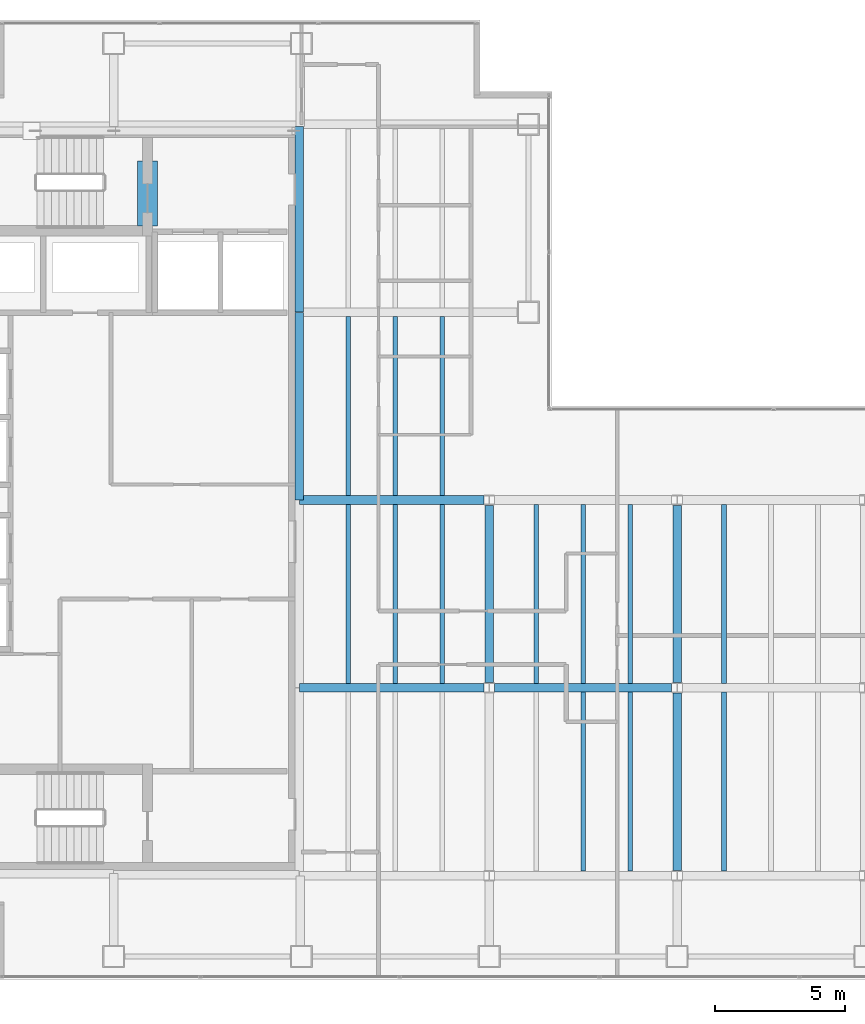
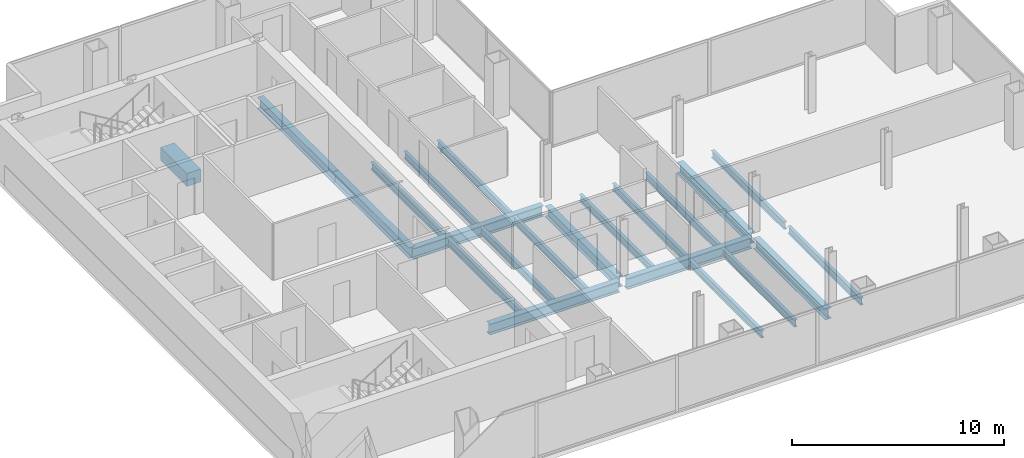
# One storey, part 7 of 23: 22 beams.
"""IFC4 building model written with IfcOpenShell, lengths in metres."""

import ifcopenshell
import ifcopenshell.guid

model = None  # the IFC model being written
_history = None  # IfcOwnerHistory: only IFC2X3 demands one
_inside = {}  # id of a spatial element -> (the spatial element, [elements in it])
_under = {}  # id of a project, library or spatial element -> (it, [spatial elements below it])
_declared = {}  # id of a project -> (the project, [libraries it declares])
_typed = {}  # id of a type object -> (the type object, [elements of that type])
_made_of = {}  # id of a material, layer set ... -> (it, [elements and type objects made of it])


def new_model(schema):
    """Start an empty IFC model of exactly this schema.

    Asked for "IFC4X3", IfcOpenShell would pick the latest addendum, in which some entities
    have other attributes; the version numbers below select the first issue.
    IFC2X3 requires an IfcOwnerHistory on every rooted entity: one is made here for all.
    """
    global model, _history
    if schema == "IFC4X3":
        model = ifcopenshell.file(schema_version=(4, 3, 0, 0))
    else:
        model = ifcopenshell.file(schema=schema)
    _inside.clear()
    _under.clear()
    _declared.clear()
    _typed.clear()
    _made_of.clear()
    _history = None
    if model.schema == "IFC2X3":
        org = make("IfcOrganization", Name="unknown")
        user = make(
            "IfcPersonAndOrganization",
            ThePerson=make("IfcPerson", FamilyName="unknown"),
            TheOrganization=org,
        )
        app = make(
            "IfcApplication",
            ApplicationDeveloper=org,
            Version="unknown",
            ApplicationFullName="unknown",
            ApplicationIdentifier="unknown",
        )
        _history = make(
            "IfcOwnerHistory",
            OwningUser=user,
            OwningApplication=app,
            ChangeAction="ADDED",
            CreationDate=0,
        )
    return model


def make(cls, **values):
    """One entity of the class cls with the attributes given. An attribute that is None is left unset."""
    return model.create_entity(
        cls, **{name: value for name, value in values.items() if value is not None}
    )


def rooted(cls, **values):
    """An entity with a GlobalId (a new one), such as an element, a storey or a relation."""
    return make(cls, GlobalId=ifcopenshell.guid.new(), OwnerHistory=_history, **values)


def si_unit(unit_type, name, prefix=None):
    """IfcSIUnit, for example si_unit("LENGTHUNIT", "METRE", prefix="MILLI")."""
    return make("IfcSIUnit", UnitType=unit_type, Prefix=prefix, Name=name)


def assignment(units):
    """IfcUnitAssignment: the units of a project."""
    return None if units is None else make("IfcUnitAssignment", Units=units)


def point(xyz):
    """IfcCartesianPoint."""
    return None if xyz is None else make("IfcCartesianPoint", Coordinates=xyz)


def direction(xyz):
    """IfcDirection."""
    return None if xyz is None else make("IfcDirection", DirectionRatios=xyz)


def frame(location, z_axis=None, x_axis=None):
    """IfcAxis2Placement3D, a coordinate frame: its origin and axes. An axis left out is left unset."""
    return make(
        "IfcAxis2Placement3D",
        Location=point(location),
        Axis=direction(z_axis),
        RefDirection=direction(x_axis),
    )


def frame_2d(location, x_axis=None):
    """IfcAxis2Placement2D, a coordinate frame in the plane: its origin and x axis."""
    return make(
        "IfcAxis2Placement2D", Location=point(location), RefDirection=direction(x_axis)
    )


def origin():
    """The frame at (0, 0, 0) with its axes left unset."""
    return frame((0.0, 0.0, 0.0))


def origin_2d():
    """The frame at (0, 0) in the plane with its x axis left unset."""
    return frame_2d((0.0, 0.0))


def place(relative_to, where):
    """IfcLocalPlacement: puts the frame where relative to a parent placement (None: the world)."""
    return make(
        "IfcLocalPlacement", PlacementRelTo=relative_to, RelativePlacement=where
    )


def context(
    kind, dimensions, precision=None, world=None, true_north=None, identifier=None
):
    """IfcGeometricRepresentationContext, for example the 3D "Model" context."""
    return make(
        "IfcGeometricRepresentationContext",
        ContextIdentifier=identifier,
        ContextType=kind,
        CoordinateSpaceDimension=dimensions,
        Precision=precision,
        WorldCoordinateSystem=world,
        TrueNorth=true_north,
    )


def subcontext(parent, identifier, kind, view, scale=None):
    """IfcGeometricRepresentationSubContext, for example "Body" below "Model"."""
    return make(
        "IfcGeometricRepresentationSubContext",
        ContextIdentifier=identifier,
        ContextType=kind,
        ParentContext=parent,
        TargetScale=scale,
        TargetView=view,
    )


def project(units=None, contexts=None):
    """IfcProject with its units and contexts."""
    return rooted(
        "IfcProject",
        Name="project",
        RepresentationContexts=contexts,
        UnitsInContext=assignment(units),
    )


def spatial(cls, under=None, at=None, **own):
    """A site, building, storey or space (cls), placed at a placement, below another one or the project."""
    s = rooted(cls, ObjectPlacement=at, **own)
    if under is not None:
        _under.setdefault(under.id(), (under, []))[1].append(s)
    return s


def profile(cls, at=None, kind="AREA", **sizes):
    """A parametric profile (cls). Its sizes go by their IFC names, for example OverallWidth=200.0."""
    return make(cls, ProfileType=kind, Position=at, **sizes)


def rectangle(**sizes):
    """IfcRectangleProfileDef."""
    return profile("IfcRectangleProfileDef", **sizes)


def i_section(**sizes):
    """IfcIShapeProfileDef."""
    return profile("IfcIShapeProfileDef", **sizes)


def extrude(swept, where, along, depth):
    """IfcExtrudedAreaSolid: the profile swept, set in the frame where, extruded along a direction by depth."""
    return make(
        "IfcExtrudedAreaSolid",
        SweptArea=swept,
        Position=where,
        ExtrudedDirection=direction(along),
        Depth=depth,
    )


def shape(context_of_items, identifier, shape_type, items):
    """IfcShapeRepresentation: the items that make up one representation, for example the "Body"."""
    return make(
        "IfcShapeRepresentation",
        ContextOfItems=context_of_items,
        RepresentationIdentifier=identifier,
        RepresentationType=shape_type,
        Items=items,
    )


def material(Name=None, Category=None):
    """IfcMaterial."""
    return make("IfcMaterial", Name=Name, Category=Category)


def material_profile(
    of_material, cross_section, Name=None, Category=None, Priority=None
):
    """IfcMaterialProfile: a cross section and its material."""
    return make(
        "IfcMaterialProfile",
        Name=Name,
        Material=of_material,
        Profile=cross_section,
        Priority=Priority,
        Category=Category,
    )


def profile_set(profiles, Name=None, composite=None):
    """IfcMaterialProfileSet."""
    return make(
        "IfcMaterialProfileSet",
        Name=Name,
        MaterialProfiles=profiles,
        CompositeProfile=composite,
    )


def made_of(thing, what):
    """Note that an element or type object is made of a material, layer set ...; save() writes the relation."""
    if what is not None:
        _made_of.setdefault(what.id(), (what, []))[1].append(thing)
    return thing


def type_object(cls, material=None, **own):
    """A type object (cls), such as IfcWallType, which elements share."""
    return made_of(rooted(cls, **own), material)


def element(
    cls,
    number,
    at=None,
    inside=None,
    cuts=None,
    type_object=None,
    material=None,
    context=None,
    identifier="Body",
    shape_type=None,
    held_by="IfcProductDefinitionShape",
    body=None,
    shapes=None,
    **own,
):
    """One element of the class cls, such as IfcWall. Its Tag is "e" and its number.

    at: its placement. inside: the storey or other place that contains it. cuts: it is an
    opening in that element (IfcRelVoidsElement). A single representation is given by context,
    identifier, shape_type and body (its items); several are given by shapes. held_by: the class
    of the entity that holds the representations. save() writes the other relations.
    """
    e = rooted(cls, Tag="e%d" % number, ObjectPlacement=at, **own)
    if body is not None:
        shapes = [shape(context, identifier, shape_type, body)]
    if shapes is not None:
        e.Representation = make(held_by, Representations=shapes)
    if inside is not None:
        _inside.setdefault(inside.id(), (inside, []))[1].append(e)
    if cuts is not None:
        rooted(
            "IfcRelVoidsElement", RelatingBuildingElement=cuts, RelatedOpeningElement=e
        )
    if type_object is not None:
        _typed.setdefault(type_object.id(), (type_object, []))[1].append(e)
    return made_of(e, material)


def aggregate(whole, parts):
    """IfcRelAggregates: a whole, such as a stair, and the parts it consists of."""
    return rooted("IfcRelAggregates", RelatingObject=whole, RelatedObjects=parts)


def save(model, path):
    """Write the relations noted so far, then the file.

    IfcRelAggregates (storeys below a building ...), IfcRelContainedInSpatialStructure (elements
    in a storey), IfcRelDefinesByType, IfcRelAssociatesMaterial and IfcRelDeclares: one each for
    every whole, place, type object, material and project.
    """
    for whole, parts in _under.values():
        aggregate(whole, parts)
    for where, things in _inside.values():
        rooted(
            "IfcRelContainedInSpatialStructure",
            RelatedElements=things,
            RelatingStructure=where,
        )
    for kind, things in _typed.values():
        rooted("IfcRelDefinesByType", RelatedObjects=things, RelatingType=kind)
    for what, things in _made_of.values():
        rooted("IfcRelAssociatesMaterial", RelatedObjects=things, RelatingMaterial=what)
    for by, libraries in _declared.values():
        rooted("IfcRelDeclares", RelatingContext=by, RelatedDefinitions=libraries)
    model.write(path)


model = new_model("IFC4")

# Units and contexts
model_context = context("Model", 3, precision=1e-05, world=origin(), true_north=direction((0.0, 1.0)))
body_context = subcontext(model_context, "Body", "Model", "MODEL_VIEW")
ifc_project = project(units=[si_unit("LENGTHUNIT", "METRE"), si_unit("AREAUNIT", "SQUARE_METRE"), si_unit("VOLUMEUNIT", "CUBIC_METRE"), si_unit("PLANEANGLEUNIT", "RADIAN"), si_unit("MASSUNIT", "GRAM", prefix="KILO")], contexts=[model_context])

# Site, building, storey
site_placement = place(None, origin())
site = spatial("IfcSite", under=ifc_project, at=site_placement, CompositionType="ELEMENT")
building_placement = place(site_placement, origin())
building = spatial("IfcBuilding", under=site, at=building_placement, Name="Cobrela Telecom Tower", CompositionType="ELEMENT")
storey_placement = place(building_placement, frame((0.0, 0.0, 180.25)))
storey = spatial("IfcBuildingStorey", under=building, at=storey_placement, Name="L45", CompositionType="ELEMENT", Elevation=180.25)

# Beams
ifc_material_1 = material(Name="Concrete C40/50", Category="concrete")
ifc_material_profile_1 = material_profile(ifc_material_1, rectangle(XDim=0.75, YDim=0.75, at=origin_2d()), Name="RC 750x750")
ifc_profile_set_1 = profile_set([ifc_material_profile_1], Name="Concrete C40/50")
beam_type_1 = type_object("IfcBeamType", Name="BM-COUP-RC", PredefinedType="LINTEL", material=ifc_profile_set_1)
beam_1_placement = place(storey_placement, frame((8.5, 32.10009765625, -0.610107421875), z_axis=(0.0, 1.0, 0.0), x_axis=(-1.0, 0.0, 0.0)))
element("IfcBeam", 1, at=beam_1_placement, inside=storey, type_object=beam_type_1, Name="L45 Core Coupling Lintel Beam", PredefinedType="LINTEL", context=body_context, shape_type="SweptSolid", body=[
    extrude(rectangle(XDim=0.75, YDim=0.75, at=origin_2d()), origin(), (0.0, 0.0, 1.0), 2.5),
])
ifc_material_2 = material(Name="Steel ASTM A992 Grade 50", Category="steel")
ifc_material_profile_2 = material_profile(ifc_material_2, i_section(OverallWidth=0.327880859375, OverallDepth=0.6220703125, WebThickness=0.015380859375, FlangeThickness=0.0244140625, FilletRadius=0.014892578125, at=origin_2d()), Name="W24X131")
ifc_profile_set_2 = profile_set([ifc_material_profile_2], Name="Steel ASTM A992 Grade 50")
beam_type_2 = type_object("IfcBeamType", Name="BM-GIRD-06", PredefinedType="USERDEFINED", material=ifc_profile_set_2)
beam_2_placement = place(storey_placement, frame((14.324951171875, 14.39990234375, -0.571044921875), z_axis=(1.0, 0.0, 0.0), x_axis=(0.0, 1.0, 0.0)))
element("IfcBeam", 2, at=beam_2_placement, inside=storey, type_object=beam_type_2, Name="L45 Primary Girder X11", ObjectType="GIRDER", PredefinedType="USERDEFINED", context=body_context, shape_type="SweptSolid", body=[
    extrude(i_section(OverallWidth=0.327880859375, OverallDepth=0.6220703125, WebThickness=0.015380859375, FlangeThickness=0.0244140625, FilletRadius=0.014892578125, at=origin_2d()), origin(), (0.0, 0.0, 1.0), 7.070556640625),
])
beam_3_placement = place(storey_placement, frame((21.804443359375, 14.39990234375, -0.571044921875), z_axis=(1.0, 0.0, 0.0), x_axis=(0.0, 1.0, 0.0)))
element("IfcBeam", 3, at=beam_3_placement, inside=storey, type_object=beam_type_2, Name="L45 Primary Girder X12", ObjectType="GIRDER", PredefinedType="USERDEFINED", context=body_context, shape_type="SweptSolid", body=[
    extrude(i_section(OverallWidth=0.327880859375, OverallDepth=0.6220703125, WebThickness=0.015380859375, FlangeThickness=0.0244140625, FilletRadius=0.014892578125, at=origin_2d()), origin(), (0.0, 0.0, 1.0), 6.791015625),
])
beam_4_placement = place(storey_placement, frame((14.324951171875, 21.60009765625, -0.571044921875), z_axis=(1.0, 0.0, 0.0), x_axis=(0.0, 1.0, 0.0)))
element("IfcBeam", 4, at=beam_4_placement, inside=storey, type_object=beam_type_2, Name="L45 Primary Girder X15", ObjectType="GIRDER", PredefinedType="USERDEFINED", context=body_context, shape_type="SweptSolid", body=[
    extrude(i_section(OverallWidth=0.327880859375, OverallDepth=0.6220703125, WebThickness=0.015380859375, FlangeThickness=0.0244140625, FilletRadius=0.014892578125, at=origin_2d()), origin(), (0.0, 0.0, 1.0), 7.070556640625),
])
beam_5_placement = place(storey_placement, frame((14.320068359375, 21.60498046875, -0.571044921875), z_axis=(0.0, 1.0, 0.0), x_axis=(-1.0, 0.0, 0.0)))
element("IfcBeam", 5, at=beam_5_placement, inside=storey, type_object=beam_type_2, Name="L45 Primary Girder Y29", ObjectType="GIRDER", PredefinedType="USERDEFINED", context=body_context, shape_type="SweptSolid", body=[
    extrude(i_section(OverallWidth=0.327880859375, OverallDepth=0.6220703125, WebThickness=0.015380859375, FlangeThickness=0.0244140625, FilletRadius=0.014892578125, at=origin_2d()), origin(), (0.0, 0.0, 1.0), 7.18994140625),
])
beam_6_placement = place(storey_placement, frame((14.320068359375, 28.804931640625, -0.571044921875), z_axis=(0.0, 1.0, 0.0), x_axis=(-1.0, 0.0, 0.0)))
element("IfcBeam", 6, at=beam_6_placement, inside=storey, type_object=beam_type_2, Name="L45 Primary Girder Y30", ObjectType="GIRDER", PredefinedType="USERDEFINED", context=body_context, shape_type="SweptSolid", body=[
    extrude(i_section(OverallWidth=0.327880859375, OverallDepth=0.6220703125, WebThickness=0.015380859375, FlangeThickness=0.0244140625, FilletRadius=0.014892578125, at=origin_2d()), origin(), (0.0, 0.0, 1.0), 7.110107421875),
])
for number, where, z_axis, x_axis, name in (
    (7, (21.60009765625, 14.6044921875, -0.571044921875), (0.0, 1.0, 0.0), (-1.0, 0.0, 0.0), "L45 Primary Girder Y34"),
    (8, (28.800048828125, 7.404541015625, -0.571044921875), (0.0, 1.0, 0.0), (-1.0, 0.0, 0.0), "L45 Primary Girder Y37"),
    (9, (28.800048828125, 14.6044921875, -0.571044921875), (0.0, 1.0, 0.0), (-1.0, 0.0, 0.0), "L45 Primary Girder Y38"),
):
    element("IfcBeam", number, at=place(storey_placement, frame(where, z_axis=z_axis, x_axis=x_axis)), inside=storey, type_object=beam_type_2, Name=name, ObjectType="GIRDER", PredefinedType="USERDEFINED", context=body_context, shape_type="SweptSolid", body=[
        extrude(i_section(OverallWidth=0.327880859375, OverallDepth=0.6220703125, WebThickness=0.015380859375, FlangeThickness=0.0244140625, FilletRadius=0.014892578125, at=origin_2d()), origin(), (0.0, 0.0, 1.0), 6.791015625),
    ])
ifc_material_profile_3 = material_profile(ifc_material_2, i_section(OverallWidth=0.179931640625, OverallDepth=0.4169921875, WebThickness=0.010986328125, FlangeThickness=0.01806640625, FilletRadius=0.011962890625, at=origin_2d()), Name="W16X57")
ifc_profile_set_3 = profile_set([ifc_material_profile_3], Name="Steel ASTM A992 Grade 50")
beam_type_3 = type_object("IfcBeamType", Name="BM-JOIST-04", PredefinedType="JOIST", material=ifc_profile_set_3)
beam_7_placement = place(storey_placement, frame((16.199951171875, 14.569091796875, -0.468505859375), z_axis=(0.0, 1.0, 0.0), x_axis=(-1.0, 0.0, 0.0)))
element("IfcBeam", 10, at=beam_7_placement, inside=storey, type_object=beam_type_3, Name="L45 Secondary Composite Floor Beam J02", PredefinedType="JOIST", context=body_context, shape_type="SweptSolid", body=[
    extrude(i_section(OverallWidth=0.179931640625, OverallDepth=0.4169921875, WebThickness=0.010986328125, FlangeThickness=0.01806640625, FilletRadius=0.011962890625, at=origin_2d()), origin(), (0.0, 0.0, 1.0), 6.86181640625),
])
beam_8_placement = place(storey_placement, frame((16.199951171875, 21.76904296875, -0.468505859375), z_axis=(0.0, 1.0, 0.0), x_axis=(-1.0, 0.0, 0.0)))
element("IfcBeam", 11, at=beam_8_placement, inside=storey, type_object=beam_type_3, Name="L45 Secondary Composite Floor Beam J03", PredefinedType="JOIST", context=body_context, shape_type="SweptSolid", body=[
    extrude(i_section(OverallWidth=0.179931640625, OverallDepth=0.4169921875, WebThickness=0.010986328125, FlangeThickness=0.01806640625, FilletRadius=0.011962890625, at=origin_2d()), origin(), (0.0, 0.0, 1.0), 6.862060546875),
])
beam_9_placement = place(storey_placement, frame((18.0, 14.569091796875, -0.468505859375), z_axis=(0.0, 1.0, 0.0), x_axis=(-1.0, 0.0, 0.0)))
element("IfcBeam", 12, at=beam_9_placement, inside=storey, type_object=beam_type_3, Name="L45 Secondary Composite Floor Beam J06", PredefinedType="JOIST", context=body_context, shape_type="SweptSolid", body=[
    extrude(i_section(OverallWidth=0.179931640625, OverallDepth=0.4169921875, WebThickness=0.010986328125, FlangeThickness=0.01806640625, FilletRadius=0.011962890625, at=origin_2d()), origin(), (0.0, 0.0, 1.0), 6.86181640625),
])
beam_10_placement = place(storey_placement, frame((18.0, 21.76904296875, -0.468505859375), z_axis=(0.0, 1.0, 0.0), x_axis=(-1.0, 0.0, 0.0)))
element("IfcBeam", 13, at=beam_10_placement, inside=storey, type_object=beam_type_3, Name="L45 Secondary Composite Floor Beam J07", PredefinedType="JOIST", context=body_context, shape_type="SweptSolid", body=[
    extrude(i_section(OverallWidth=0.179931640625, OverallDepth=0.4169921875, WebThickness=0.010986328125, FlangeThickness=0.01806640625, FilletRadius=0.011962890625, at=origin_2d()), origin(), (0.0, 0.0, 1.0), 6.862060546875),
])
beam_11_placement = place(storey_placement, frame((19.800048828125, 14.569091796875, -0.468505859375), z_axis=(0.0, 1.0, 0.0), x_axis=(-1.0, 0.0, 0.0)))
element("IfcBeam", 14, at=beam_11_placement, inside=storey, type_object=beam_type_3, Name="L45 Secondary Composite Floor Beam J10", PredefinedType="JOIST", context=body_context, shape_type="SweptSolid", body=[
    extrude(i_section(OverallWidth=0.179931640625, OverallDepth=0.4169921875, WebThickness=0.010986328125, FlangeThickness=0.01806640625, FilletRadius=0.011962890625, at=origin_2d()), origin(), (0.0, 0.0, 1.0), 6.86181640625),
])
beam_12_placement = place(storey_placement, frame((19.800048828125, 21.76904296875, -0.468505859375), z_axis=(0.0, 1.0, 0.0), x_axis=(-1.0, 0.0, 0.0)))
element("IfcBeam", 15, at=beam_12_placement, inside=storey, type_object=beam_type_3, Name="L45 Secondary Composite Floor Beam J11", PredefinedType="JOIST", context=body_context, shape_type="SweptSolid", body=[
    extrude(i_section(OverallWidth=0.179931640625, OverallDepth=0.4169921875, WebThickness=0.010986328125, FlangeThickness=0.01806640625, FilletRadius=0.011962890625, at=origin_2d()), origin(), (0.0, 0.0, 1.0), 6.862060546875),
])
beam_13_placement = place(storey_placement, frame((23.39990234375, 14.569091796875, -0.468505859375), z_axis=(0.0, 1.0, 0.0), x_axis=(-1.0, 0.0, 0.0)))
element("IfcBeam", 16, at=beam_13_placement, inside=storey, type_object=beam_type_3, Name="L45 Secondary Composite Floor Beam J14", PredefinedType="JOIST", context=body_context, shape_type="SweptSolid", body=[
    extrude(i_section(OverallWidth=0.179931640625, OverallDepth=0.4169921875, WebThickness=0.010986328125, FlangeThickness=0.01806640625, FilletRadius=0.011962890625, at=origin_2d()), origin(), (0.0, 0.0, 1.0), 6.86181640625),
])
beam_14_placement = place(storey_placement, frame((25.199951171875, 7.368896484375, -0.468505859375), z_axis=(0.0, 1.0, 0.0), x_axis=(-1.0, 0.0, 0.0)))
element("IfcBeam", 17, at=beam_14_placement, inside=storey, type_object=beam_type_3, Name="L45 Secondary Composite Floor Beam J15", PredefinedType="JOIST", context=body_context, shape_type="SweptSolid", body=[
    extrude(i_section(OverallWidth=0.179931640625, OverallDepth=0.4169921875, WebThickness=0.010986328125, FlangeThickness=0.01806640625, FilletRadius=0.011962890625, at=origin_2d()), origin(), (0.0, 0.0, 1.0), 6.862060546875),
])
beam_15_placement = place(storey_placement, frame((25.199951171875, 14.569091796875, -0.468505859375), z_axis=(0.0, 1.0, 0.0), x_axis=(-1.0, 0.0, 0.0)))
element("IfcBeam", 18, at=beam_15_placement, inside=storey, type_object=beam_type_3, Name="L45 Secondary Composite Floor Beam J16", PredefinedType="JOIST", context=body_context, shape_type="SweptSolid", body=[
    extrude(i_section(OverallWidth=0.179931640625, OverallDepth=0.4169921875, WebThickness=0.010986328125, FlangeThickness=0.01806640625, FilletRadius=0.011962890625, at=origin_2d()), origin(), (0.0, 0.0, 1.0), 6.86181640625),
])
beam_16_placement = place(storey_placement, frame((27.0, 7.368896484375, -0.468505859375), z_axis=(0.0, 1.0, 0.0), x_axis=(-1.0, 0.0, 0.0)))
element("IfcBeam", 19, at=beam_16_placement, inside=storey, type_object=beam_type_3, Name="L45 Secondary Composite Floor Beam J17", PredefinedType="JOIST", context=body_context, shape_type="SweptSolid", body=[
    extrude(i_section(OverallWidth=0.179931640625, OverallDepth=0.4169921875, WebThickness=0.010986328125, FlangeThickness=0.01806640625, FilletRadius=0.011962890625, at=origin_2d()), origin(), (0.0, 0.0, 1.0), 6.862060546875),
])
beam_17_placement = place(storey_placement, frame((27.0, 14.569091796875, -0.468505859375), z_axis=(0.0, 1.0, 0.0), x_axis=(-1.0, 0.0, 0.0)))
element("IfcBeam", 20, at=beam_17_placement, inside=storey, type_object=beam_type_3, Name="L45 Secondary Composite Floor Beam J18", PredefinedType="JOIST", context=body_context, shape_type="SweptSolid", body=[
    extrude(i_section(OverallWidth=0.179931640625, OverallDepth=0.4169921875, WebThickness=0.010986328125, FlangeThickness=0.01806640625, FilletRadius=0.011962890625, at=origin_2d()), origin(), (0.0, 0.0, 1.0), 6.86181640625),
])
beam_18_placement = place(storey_placement, frame((30.60009765625, 7.368896484375, -0.468505859375), z_axis=(0.0, 1.0, 0.0), x_axis=(-1.0, 0.0, 0.0)))
element("IfcBeam", 21, at=beam_18_placement, inside=storey, type_object=beam_type_3, Name="L45 Secondary Composite Floor Beam J19", PredefinedType="JOIST", context=body_context, shape_type="SweptSolid", body=[
    extrude(i_section(OverallWidth=0.179931640625, OverallDepth=0.4169921875, WebThickness=0.010986328125, FlangeThickness=0.01806640625, FilletRadius=0.011962890625, at=origin_2d()), origin(), (0.0, 0.0, 1.0), 6.862060546875),
])
beam_19_placement = place(storey_placement, frame((30.60009765625, 14.569091796875, -0.468505859375), z_axis=(0.0, 1.0, 0.0), x_axis=(-1.0, 0.0, 0.0)))
element("IfcBeam", 22, at=beam_19_placement, inside=storey, type_object=beam_type_3, Name="L45 Secondary Composite Floor Beam J20", PredefinedType="JOIST", context=body_context, shape_type="SweptSolid", body=[
    extrude(i_section(OverallWidth=0.179931640625, OverallDepth=0.4169921875, WebThickness=0.010986328125, FlangeThickness=0.01806640625, FilletRadius=0.011962890625, at=origin_2d()), origin(), (0.0, 0.0, 1.0), 6.86181640625),
])

save(model, "model.ifc")
